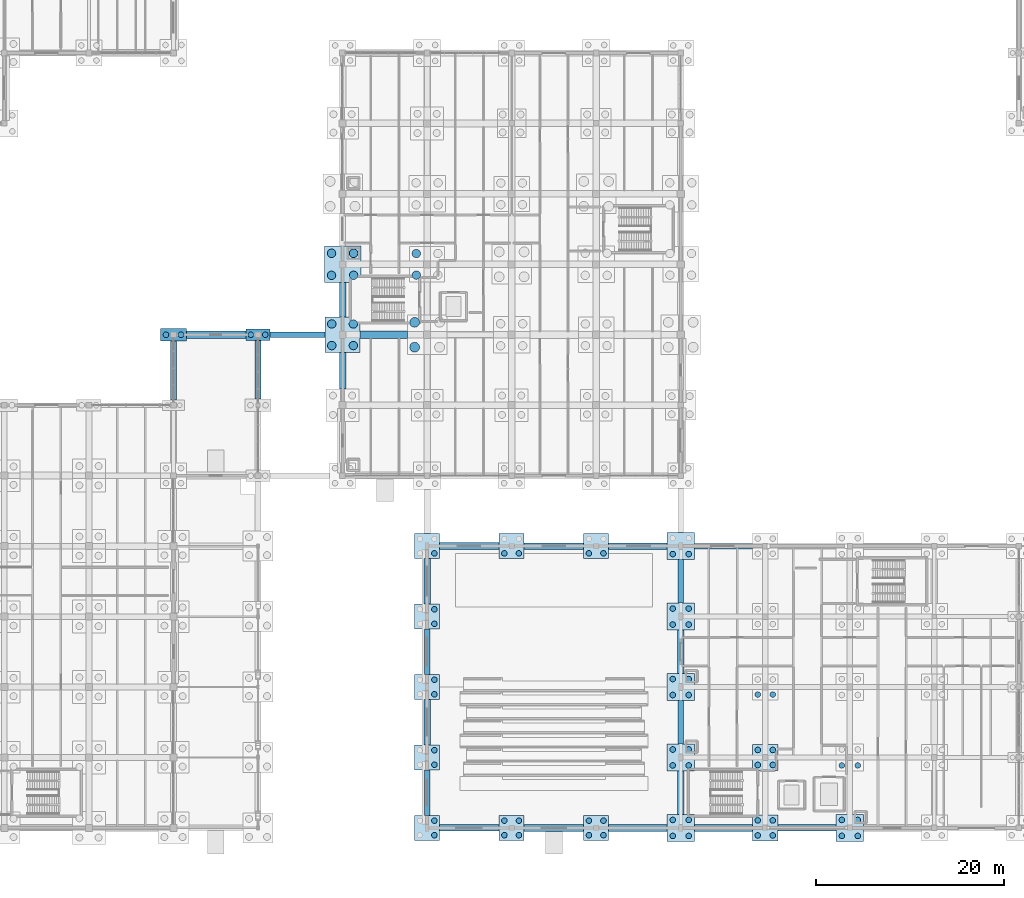
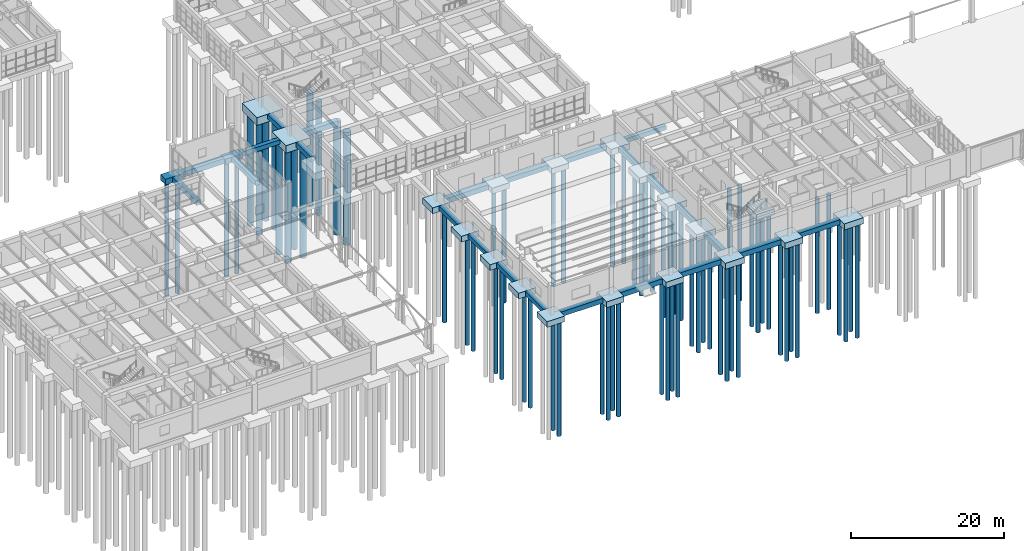
# One storey, part 3 of 93: 71 piles, 45 footings.
"""IFC4 building model written with IfcOpenShell, lengths in metres."""

from ifc_helpers import new_model, si_unit, direction, frame, origin, origin_2d, place, context, subcontext, project, spatial, rectangle, circle, extrude, material, material_profile, profile_set, type_object, element, save


model = new_model("IFC4")

# Units and contexts
model_context = context("Model", 3, precision=1e-05, world=origin(), true_north=direction((0.0, 1.0)))
body_context = subcontext(model_context, "Body", "Model", "MODEL_VIEW")
ifc_project = project(units=[si_unit("LENGTHUNIT", "METRE"), si_unit("AREAUNIT", "SQUARE_METRE"), si_unit("VOLUMEUNIT", "CUBIC_METRE"), si_unit("PLANEANGLEUNIT", "RADIAN"), si_unit("MASSUNIT", "GRAM", prefix="KILO")], contexts=[model_context])

# Site, building, storey
site_placement = place(None, origin())
site = spatial("IfcSite", under=ifc_project, at=site_placement, CompositionType="ELEMENT")
building_placement = place(site_placement, origin())
building = spatial("IfcBuilding", under=site, at=building_placement, Name="Marnridge Secondary College", CompositionType="ELEMENT")
storey_placement = place(building_placement, origin())
storey = spatial("IfcBuildingStorey", under=building, at=storey_placement, Name="L00", CompositionType="ELEMENT", Elevation=0.0)

# Footings
ifc_material_1 = material(Name="Concrete C40/50 (AS 3600 N40, 40 MPa)", Category="concrete")
footing_type_1 = type_object("IfcFootingType", Name="FT-PC-2612", PredefinedType="PILE_CAP", material=ifc_material_1)
footing_1_placement = place(storey_placement, frame((45.0, 52.5, -1.10986328125), z_axis=(0.0, 0.0, 1.0), x_axis=(1.0, 0.0, 0.0)))
element("IfcFooting", 1, at=footing_1_placement, inside=storey, type_object=footing_type_1, Name="Pile cap PC-088", PredefinedType="PILE_CAP", context=body_context, shape_type="SweptSolid", body=[
    extrude(rectangle(XDim=2.60009765625, YDim=1.199951171875, at=origin_2d()), origin(), (0.0, 0.0, 1.0), 0.860107421875),
])
ifc_material_2 = material(Name="Concrete C40/50 (AS 3600 N40, 40 MPa)", Category="concrete")
footing_type_2 = type_object("IfcFootingType", Name="FT-PC-2650", PredefinedType="PILE_CAP", material=ifc_material_2)
for number, where, z_axis, x_axis, name in (
    (2, (63.0, 0.0, -1.169921875), (0.0, 0.0, 1.0), (1.0, 0.0, 0.0), "Pile cap PC-007"),
    (3, (72.0, 0.0, -1.169921875), (0.0, 0.0, 1.0), (1.0, 0.0, 0.0), "Pile cap PC-008"),
    (4, (81.0, 0.0, -1.169921875), (0.0, 0.0, 1.0), (1.0, 0.0, 0.0), "Pile cap PC-009"),
    (5, (63.0, 7.5, -1.169921875), (0.0, 0.0, 1.0), (1.0, 0.0, 0.0), "Pile cap PC-021"),
    (6, (63.0, 15.0, -1.169921875), (0.0, 0.0, 1.0), (1.0, 0.0, 0.0), "Pile cap PC-033"),
    (7, (63.0, 22.5, -1.169921875), (0.0, 0.0, 1.0), (1.0, 0.0, 0.0), "Pile cap PC-045"),
    (8, (63.0, 30.0, -1.169921875), (0.0, 0.0, 1.0), (1.0, 0.0, 0.0), "Pile cap PC-057"),
    (9, (72.0, 30.0, -1.169921875), (0.0, 0.0, 1.0), (1.0, 0.0, 0.0), "Pile cap PC-058"),
    (10, (81.0, 30.0, -1.169921875), (0.0, 0.0, 1.0), (1.0, 0.0, 0.0), "Pile cap PC-059"),
):
    element("IfcFooting", number, at=place(storey_placement, frame(where, z_axis=z_axis, x_axis=x_axis)), inside=storey, type_object=footing_type_2, Name=name, PredefinedType="PILE_CAP", context=body_context, shape_type="SweptSolid", body=[
        extrude(rectangle(XDim=2.64990234375, YDim=2.64990234375, at=origin_2d()), origin(), (0.0, 0.0, 1.0), 0.919921875),
    ])
ifc_material_3 = material(Name="Concrete C40/50 (AS 3600 N40, 40 MPa)", Category="concrete")
footing_type_3 = type_object("IfcFootingType", Name="FT-PC-2713", PredefinedType="PILE_CAP", material=ifc_material_3)
footing_2_placement = place(storey_placement, frame((36.0, 52.5, -1.14990234375), z_axis=(0.0, 0.0, 1.0), x_axis=(1.0, 0.0, 0.0)))
element("IfcFooting", 11, at=footing_2_placement, inside=storey, type_object=footing_type_3, Name="Pile cap PC-087", PredefinedType="PILE_CAP", context=body_context, shape_type="SweptSolid", body=[
    extrude(rectangle(XDim=2.75, YDim=1.300048828125, at=origin_2d()), origin(), (0.0, 0.0, 1.0), 0.89990234375),
])
ifc_material_4 = material(Name="Concrete C40/50 (AS 3600 N40, 40 MPa)", Category="concrete")
footing_type_4 = type_object("IfcFootingType", Name="FT-PC-2750", PredefinedType="PILE_CAP", material=ifc_material_4)
for number, where, z_axis, x_axis, name in (
    (12, (99.0, 0.0, -1.2001953125), (0.0, 0.0, 1.0), (1.0, 0.0, 0.0), "Pile cap PC-011"),
    (13, (99.0, 7.5, -1.2001953125), (0.0, 0.0, 1.0), (1.0, 0.0, 0.0), "Pile cap PC-023"),
):
    element("IfcFooting", number, at=place(storey_placement, frame(where, z_axis=z_axis, x_axis=x_axis)), inside=storey, type_object=footing_type_4, Name=name, PredefinedType="PILE_CAP", context=body_context, shape_type="SweptSolid", body=[
        extrude(rectangle(XDim=2.75, YDim=2.75, at=origin_2d()), origin(), (0.0, 0.0, 1.0), 0.949951171875),
    ])
ifc_material_5 = material(Name="Concrete C40/50 (AS 3600 N40, 40 MPa)", Category="concrete")
footing_type_5 = type_object("IfcFootingType", Name="FT-PC-2900", PredefinedType="PILE_CAP", material=ifc_material_5)
for number, where, z_axis, x_axis, name in (
    (14, (90.0, 0.0, -1.22998046875), (0.0, 0.0, 1.0), (1.0, 0.0, 0.0), "Pile cap PC-010"),
    (15, (108.0, 0.0, -1.22998046875), (0.0, 0.0, 1.0), (1.0, 0.0, 0.0), "Pile cap PC-012"),
    (16, (90.0, 7.5, -1.22998046875), (0.0, 0.0, 1.0), (1.0, 0.0, 0.0), "Pile cap PC-022"),
    (17, (90.0, 15.0, -1.22998046875), (0.0, 0.0, 1.0), (1.0, 0.0, 0.0), "Pile cap PC-034"),
    (18, (90.0, 22.5, -1.22998046875), (0.0, 0.0, 1.0), (1.0, 0.0, 0.0), "Pile cap PC-046"),
    (19, (90.0, 30.0, -1.22998046875), (0.0, 0.0, 1.0), (1.0, 0.0, 0.0), "Pile cap PC-060"),
):
    element("IfcFooting", number, at=place(storey_placement, frame(where, z_axis=z_axis, x_axis=x_axis)), inside=storey, type_object=footing_type_5, Name=name, PredefinedType="PILE_CAP", context=body_context, shape_type="SweptSolid", body=[
        extrude(rectangle(XDim=2.89990234375, YDim=2.89990234375, at=origin_2d()), origin(), (0.0, 0.0, 1.0), 0.97998046875),
    ])
ifc_material_6 = material(Name="Concrete C40/50 (AS 3600 N40, 40 MPa)", Category="concrete")
footing_type_6 = type_object("IfcFootingType", Name="FT-PC-3750", PredefinedType="PILE_CAP", material=ifc_material_6)
footing_3_placement = place(storey_placement, frame((54.0, 52.5, -1.4501953125), z_axis=(0.0, 0.0, 1.0), x_axis=(1.0, 0.0, 0.0)))
element("IfcFooting", 20, at=footing_3_placement, inside=storey, type_object=footing_type_6, Name="Pile cap PC-089", PredefinedType="PILE_CAP", context=body_context, shape_type="SweptSolid", body=[
    extrude(rectangle(XDim=3.75, YDim=3.75, at=origin_2d()), origin(), (0.0, 0.0, 1.0), 1.199951171875),
])
ifc_material_7 = material(Name="Concrete C40/50 (AS 3600 N40, 40 MPa)", Category="concrete")
footing_type_7 = type_object("IfcFootingType", Name="FT-PC-3900", PredefinedType="PILE_CAP", material=ifc_material_7)
footing_4_placement = place(storey_placement, frame((54.0, 60.0, -1.5), z_axis=(0.0, 0.0, 1.0), x_axis=(1.0, 0.0, 0.0)))
element("IfcFooting", 21, at=footing_4_placement, inside=storey, type_object=footing_type_7, Name="Pile cap PC-094", PredefinedType="PILE_CAP", context=body_context, shape_type="SweptSolid", body=[
    extrude(rectangle(XDim=3.89990234375, YDim=3.89990234375, at=origin_2d()), origin(), (0.0, 0.0, 1.0), 1.25),
])
ifc_material_8 = material(Name="Concrete C40/50 (AS 3600 N40, 40 MPa)", Category="concrete")
footing_type_8 = type_object("IfcFootingType", Name="FT-SF-600", PredefinedType="STRIP_FOOTING", material=ifc_material_8)
footing_5_placement = place(storey_placement, frame((49.21240234375, 52.5, -0.9501953125), z_axis=(0.0, 0.0, 1.0), x_axis=(1.0, 0.0, 0.0)))
element("IfcFooting", 22, at=footing_5_placement, inside=storey, type_object=footing_type_8, Name="Ground strip footing SF-059", PredefinedType="STRIP_FOOTING", context=body_context, shape_type="SweptSolid", body=[
    extrude(rectangle(XDim=5.824951171875, YDim=0.60009765625, at=origin_2d()), origin(), (0.0, 0.0, 1.0), 0.699951171875),
])
for number, where, z_axis, x_axis, name in (
    (23, (63.0, 3.75, -0.9501953125), (0.0, 0.0, 1.0), (1.0, 0.0, 0.0), "Ground strip footing SF-071"),
    (24, (63.0, 18.75, -0.9501953125), (0.0, 0.0, 1.0), (1.0, 0.0, 0.0), "Ground strip footing SF-073"),
):
    element("IfcFooting", number, at=place(storey_placement, frame(where, z_axis=z_axis, x_axis=x_axis)), inside=storey, type_object=footing_type_8, Name=name, PredefinedType="STRIP_FOOTING", context=body_context, shape_type="SweptSolid", body=[
        extrude(rectangle(XDim=0.60009765625, YDim=4.85009765625, at=origin_2d()), origin(), (0.0, 0.0, 1.0), 0.699951171875),
    ])
for number, where, z_axis, x_axis, name in (
    (25, (90.0, 11.25, -0.9501953125), (0.0, 0.0, 1.0), (1.0, 0.0, 0.0), "Ground strip footing SF-101"),
    (26, (90.0, 26.25, -0.9501953125), (0.0, 0.0, 1.0), (1.0, 0.0, 0.0), "Ground strip footing SF-103"),
):
    element("IfcFooting", number, at=place(storey_placement, frame(where, z_axis=z_axis, x_axis=x_axis)), inside=storey, type_object=footing_type_8, Name=name, PredefinedType="STRIP_FOOTING", context=body_context, shape_type="SweptSolid", body=[
        extrude(rectangle(XDim=0.60009765625, YDim=4.60009765625, at=origin_2d()), origin(), (0.0, 0.0, 1.0), 0.699951171875),
    ])
footing_6_placement = place(storey_placement, frame((94.53759765625, 30.0, -0.9501953125), z_axis=(0.0, 0.0, 1.0), x_axis=(1.0, 0.0, 0.0)))
element("IfcFooting", 27, at=footing_6_placement, inside=storey, type_object=footing_type_8, Name="Ground strip footing SF-104", PredefinedType="STRIP_FOOTING", context=body_context, shape_type="SweptSolid", body=[
    extrude(rectangle(XDim=6.175048828125, YDim=0.60009765625, at=origin_2d()), origin(), (0.0, 0.0, 1.0), 0.699951171875),
])
ifc_material_9 = material(Name="Concrete C40/50 (AS 3600 N40, 40 MPa)", Category="concrete")
footing_type_9 = type_object("IfcFootingType", Name="FT-SF-680", PredefinedType="STRIP_FOOTING", material=ifc_material_9)
footing_7_placement = place(storey_placement, frame((36.0, 48.699951171875, -1.009765625), z_axis=(0.0, 0.0, 1.0), x_axis=(1.0, 0.0, 0.0)))
element("IfcFooting", 28, at=footing_7_placement, inside=storey, type_object=footing_type_9, Name="Ground strip footing SF-044", PredefinedType="STRIP_FOOTING", context=body_context, shape_type="SweptSolid", body=[
    extrude(rectangle(XDim=0.679931640625, YDim=6.300048828125, at=origin_2d()), origin(), (0.0, 0.0, 1.0), 0.760009765625),
])
footing_8_placement = place(storey_placement, frame((45.0, 48.77490234375, -1.009765625), z_axis=(0.0, 0.0, 1.0), x_axis=(1.0, 0.0, 0.0)))
element("IfcFooting", 29, at=footing_8_placement, inside=storey, type_object=footing_type_9, Name="Ground strip footing SF-058", PredefinedType="STRIP_FOOTING", context=body_context, shape_type="SweptSolid", body=[
    extrude(rectangle(XDim=0.679931640625, YDim=6.25, at=origin_2d()), origin(), (0.0, 0.0, 1.0), 0.760009765625),
])
footing_9_placement = place(storey_placement, frame((54.0, 48.6875, -1.009765625), z_axis=(0.0, 0.0, 1.0), x_axis=(1.0, 0.0, 0.0)))
element("IfcFooting", 30, at=footing_9_placement, inside=storey, type_object=footing_type_9, Name="Ground strip footing SF-062", PredefinedType="STRIP_FOOTING", context=body_context, shape_type="SweptSolid", body=[
    extrude(rectangle(XDim=0.679931640625, YDim=3.875, at=origin_2d()), origin(), (0.0, 0.0, 1.0), 0.760009765625),
])
footing_10_placement = place(storey_placement, frame((54.0, 56.21240234375, -1.009765625), z_axis=(0.0, 0.0, 1.0), x_axis=(1.0, 0.0, 0.0)))
element("IfcFooting", 31, at=footing_10_placement, inside=storey, type_object=footing_type_9, Name="Ground strip footing SF-064", PredefinedType="STRIP_FOOTING", context=body_context, shape_type="SweptSolid", body=[
    extrude(rectangle(XDim=0.679931640625, YDim=3.675048828125, at=origin_2d()), origin(), (0.0, 0.0, 1.0), 0.760009765625),
])
footing_11_placement = place(storey_placement, frame((67.5, 0.0, -1.009765625), z_axis=(0.0, 0.0, 1.0), x_axis=(1.0, 0.0, 0.0)))
element("IfcFooting", 32, at=footing_11_placement, inside=storey, type_object=footing_type_9, Name="Ground strip footing SF-070", PredefinedType="STRIP_FOOTING", context=body_context, shape_type="SweptSolid", body=[
    extrude(rectangle(XDim=6.35009765625, YDim=0.679931640625, at=origin_2d()), origin(), (0.0, 0.0, 1.0), 0.760009765625),
])
for number, where, z_axis, x_axis, name in (
    (33, (63.0, 11.25, -1.009765625), (0.0, 0.0, 1.0), (1.0, 0.0, 0.0), "Ground strip footing SF-072"),
    (34, (63.0, 26.25, -1.009765625), (0.0, 0.0, 1.0), (1.0, 0.0, 0.0), "Ground strip footing SF-074"),
):
    element("IfcFooting", number, at=place(storey_placement, frame(where, z_axis=z_axis, x_axis=x_axis)), inside=storey, type_object=footing_type_9, Name=name, PredefinedType="STRIP_FOOTING", context=body_context, shape_type="SweptSolid", body=[
        extrude(rectangle(XDim=0.679931640625, YDim=4.85009765625, at=origin_2d()), origin(), (0.0, 0.0, 1.0), 0.760009765625),
    ])
footing_12_placement = place(storey_placement, frame((76.5, 30.0, -1.009765625), z_axis=(0.0, 0.0, 1.0), x_axis=(1.0, 0.0, 0.0)))
element("IfcFooting", 35, at=footing_12_placement, inside=storey, type_object=footing_type_9, Name="Ground strip footing SF-088", PredefinedType="STRIP_FOOTING", context=body_context, shape_type="SweptSolid", body=[
    extrude(rectangle(XDim=6.35009765625, YDim=0.679931640625, at=origin_2d()), origin(), (0.0, 0.0, 1.0), 0.760009765625),
])
footing_13_placement = place(storey_placement, frame((85.4375, 30.0, -1.009765625), z_axis=(0.0, 0.0, 1.0), x_axis=(1.0, 0.0, 0.0)))
element("IfcFooting", 36, at=footing_13_placement, inside=storey, type_object=footing_type_9, Name="Ground strip footing SF-094", PredefinedType="STRIP_FOOTING", context=body_context, shape_type="SweptSolid", body=[
    extrude(rectangle(XDim=6.22509765625, YDim=0.679931640625, at=origin_2d()), origin(), (0.0, 0.0, 1.0), 0.760009765625),
])
for number, where, z_axis, x_axis, name in (
    (37, (90.0, 3.75, -1.009765625), (0.0, 0.0, 1.0), (1.0, 0.0, 0.0), "Ground strip footing SF-100"),
    (38, (90.0, 18.75, -1.009765625), (0.0, 0.0, 1.0), (1.0, 0.0, 0.0), "Ground strip footing SF-102"),
):
    element("IfcFooting", number, at=place(storey_placement, frame(where, z_axis=z_axis, x_axis=x_axis)), inside=storey, type_object=footing_type_9, Name=name, PredefinedType="STRIP_FOOTING", context=body_context, shape_type="SweptSolid", body=[
        extrude(rectangle(XDim=0.679931640625, YDim=4.60009765625, at=origin_2d()), origin(), (0.0, 0.0, 1.0), 0.760009765625),
    ])
footing_14_placement = place(storey_placement, frame((103.46240234375, 0.0, -1.009765625), z_axis=(0.0, 0.0, 1.0), x_axis=(1.0, 0.0, 0.0)))
element("IfcFooting", 39, at=footing_14_placement, inside=storey, type_object=footing_type_9, Name="Ground strip footing SF-112", PredefinedType="STRIP_FOOTING", context=body_context, shape_type="SweptSolid", body=[
    extrude(rectangle(XDim=6.175048828125, YDim=0.679931640625, at=origin_2d()), origin(), (0.0, 0.0, 1.0), 0.760009765625),
])
ifc_material_10 = material(Name="Concrete C40/50 (AS 3600 N40, 40 MPa)", Category="concrete")
footing_type_10 = type_object("IfcFootingType", Name="FT-SF-760", PredefinedType="STRIP_FOOTING", material=ifc_material_10)
footing_15_placement = place(storey_placement, frame((40.53759765625, 52.5, -1.06982421875), z_axis=(0.0, 0.0, 1.0), x_axis=(1.0, 0.0, 0.0)))
element("IfcFooting", 40, at=footing_15_placement, inside=storey, type_object=footing_type_10, Name="Ground strip footing SF-045", PredefinedType="STRIP_FOOTING", context=body_context, shape_type="SweptSolid", body=[
    extrude(rectangle(XDim=6.324951171875, YDim=0.760009765625, at=origin_2d()), origin(), (0.0, 0.0, 1.0), 0.820068359375),
])
footing_16_placement = place(storey_placement, frame((58.387451171875, 52.5, -1.06982421875), z_axis=(0.0, 0.0, 1.0), x_axis=(1.0, 0.0, 0.0)))
element("IfcFooting", 41, at=footing_16_placement, inside=storey, type_object=footing_type_10, Name="Ground strip footing SF-063", PredefinedType="STRIP_FOOTING", context=body_context, shape_type="SweptSolid", body=[
    extrude(rectangle(XDim=5.02490234375, YDim=0.760009765625, at=origin_2d()), origin(), (0.0, 0.0, 1.0), 0.820068359375),
])
for number, where, z_axis, x_axis, name in (
    (42, (67.5, 30.0, -1.06982421875), (0.0, 0.0, 1.0), (1.0, 0.0, 0.0), "Ground strip footing SF-075"),
    (43, (76.5, 0.0, -1.06982421875), (0.0, 0.0, 1.0), (1.0, 0.0, 0.0), "Ground strip footing SF-087"),
):
    element("IfcFooting", number, at=place(storey_placement, frame(where, z_axis=z_axis, x_axis=x_axis)), inside=storey, type_object=footing_type_10, Name=name, PredefinedType="STRIP_FOOTING", context=body_context, shape_type="SweptSolid", body=[
        extrude(rectangle(XDim=6.35009765625, YDim=0.760009765625, at=origin_2d()), origin(), (0.0, 0.0, 1.0), 0.820068359375),
    ])
footing_17_placement = place(storey_placement, frame((85.4375, 0.0, -1.06982421875), z_axis=(0.0, 0.0, 1.0), x_axis=(1.0, 0.0, 0.0)))
element("IfcFooting", 44, at=footing_17_placement, inside=storey, type_object=footing_type_10, Name="Ground strip footing SF-093", PredefinedType="STRIP_FOOTING", context=body_context, shape_type="SweptSolid", body=[
    extrude(rectangle(XDim=6.22509765625, YDim=0.760009765625, at=origin_2d()), origin(), (0.0, 0.0, 1.0), 0.820068359375),
])
footing_18_placement = place(storey_placement, frame((94.53759765625, 0.0, -1.06982421875), z_axis=(0.0, 0.0, 1.0), x_axis=(1.0, 0.0, 0.0)))
element("IfcFooting", 45, at=footing_18_placement, inside=storey, type_object=footing_type_10, Name="Ground strip footing SF-099", PredefinedType="STRIP_FOOTING", context=body_context, shape_type="SweptSolid", body=[
    extrude(rectangle(XDim=6.175048828125, YDim=0.760009765625, at=origin_2d()), origin(), (0.0, 0.0, 1.0), 0.820068359375),
])

# Piles
ifc_material_11 = material(Name="Concrete C50/60 (AS 3600 N50, 50 MPa)", Category="concrete")
ifc_material_profile_1 = material_profile(ifc_material_11, circle(Radius=0.52490234375, at=origin_2d()), Name="PILE D1050")
ifc_profile_set_1 = profile_set([ifc_material_profile_1], Name="Concrete C50/60 (AS 3600 N50, 50 MPa)")
pile_type_1 = type_object("IfcPileType", Name="PL-D1050-N50", PredefinedType="BORED", material=ifc_profile_set_1)
for number, where, z_axis, x_axis, name in (
    (46, (61.675048828125, 51.175048828125, -1.449951171875), (0.0, 0.0, -1.0), (1.0, 0.0, 0.0), "Bored pile PL-333"),
    (47, (61.675048828125, 53.824951171875, -1.449951171875), (0.0, 0.0, -1.0), (1.0, 0.0, 0.0), "Bored pile PL-335"),
):
    element("IfcPile", number, at=place(storey_placement, frame(where, z_axis=z_axis, x_axis=x_axis)), inside=storey, type_object=pile_type_1, Name=name, PredefinedType="BORED", context=body_context, shape_type="SweptSolid", body=[
        extrude(circle(Radius=0.52490234375, at=origin_2d()), origin(), (0.0, 0.0, 1.0), 18.050048828125),
    ])
ifc_material_12 = material(Name="Concrete C40/50 (AS 3600 N40, 40 MPa)", Category="concrete")
ifc_material_profile_2 = material_profile(ifc_material_12, circle(Radius=0.300048828125, at=origin_2d()), Name="PILE D600")
ifc_profile_set_2 = profile_set([ifc_material_profile_2], Name="Concrete C40/50 (AS 3600 N40, 40 MPa)")
pile_type_2 = type_object("IfcPileType", Name="PL-D600-N40", PredefinedType="BORED", material=ifc_profile_set_2)
for number, where, z_axis, x_axis, name in (
    (48, (63.77490234375, -0.77490234375, -1.070068359375), (0.0, 0.0, -1.0), (1.0, 0.0, 0.0), "Bored pile PL-026"),
    (49, (63.77490234375, 0.77490234375, -1.070068359375), (0.0, 0.0, -1.0), (1.0, 0.0, 0.0), "Bored pile PL-028"),
    (50, (71.22509765625, -0.77490234375, -1.070068359375), (0.0, 0.0, -1.0), (1.0, 0.0, 0.0), "Bored pile PL-029"),
    (51, (72.77490234375, -0.77490234375, -1.070068359375), (0.0, 0.0, -1.0), (1.0, 0.0, 0.0), "Bored pile PL-030"),
    (52, (71.22509765625, 0.77490234375, -1.070068359375), (0.0, 0.0, -1.0), (1.0, 0.0, 0.0), "Bored pile PL-031"),
    (53, (72.77490234375, 0.77490234375, -1.070068359375), (0.0, 0.0, -1.0), (1.0, 0.0, 0.0), "Bored pile PL-032"),
    (54, (80.22509765625, -0.77490234375, -1.070068359375), (0.0, 0.0, -1.0), (1.0, 0.0, 0.0), "Bored pile PL-033"),
    (55, (81.77490234375, -0.77490234375, -1.070068359375), (0.0, 0.0, -1.0), (1.0, 0.0, 0.0), "Bored pile PL-034"),
    (56, (80.22509765625, 0.77490234375, -1.070068359375), (0.0, 0.0, -1.0), (1.0, 0.0, 0.0), "Bored pile PL-035"),
    (57, (81.77490234375, 0.77490234375, -1.070068359375), (0.0, 0.0, -1.0), (1.0, 0.0, 0.0), "Bored pile PL-036"),
):
    element("IfcPile", number, at=place(storey_placement, frame(where, z_axis=z_axis, x_axis=x_axis)), inside=storey, type_object=pile_type_2, Name=name, PredefinedType="BORED", context=body_context, shape_type="SweptSolid", body=[
        extrude(circle(Radius=0.300048828125, at=origin_2d()), origin(), (0.0, 0.0, 1.0), 18.429931640625),
    ])
for number, where, z_axis, x_axis, name in (
    (58, (89.14990234375, -0.85009765625, -1.1298828125), (0.0, 0.0, -1.0), (1.0, 0.0, 0.0), "Bored pile PL-037"),
    (59, (90.85009765625, -0.85009765625, -1.1298828125), (0.0, 0.0, -1.0), (1.0, 0.0, 0.0), "Bored pile PL-038"),
    (60, (89.14990234375, 0.85009765625, -1.1298828125), (0.0, 0.0, -1.0), (1.0, 0.0, 0.0), "Bored pile PL-039"),
    (61, (90.85009765625, 0.85009765625, -1.1298828125), (0.0, 0.0, -1.0), (1.0, 0.0, 0.0), "Bored pile PL-040"),
):
    element("IfcPile", number, at=place(storey_placement, frame(where, z_axis=z_axis, x_axis=x_axis)), inside=storey, type_object=pile_type_2, Name=name, PredefinedType="BORED", context=body_context, shape_type="SweptSolid", body=[
        extrude(circle(Radius=0.300048828125, at=origin_2d()), origin(), (0.0, 0.0, 1.0), 18.3701171875),
    ])
for number, where, z_axis, x_axis, name in (
    (62, (98.199951171875, -0.800048828125, -1.10009765625), (0.0, 0.0, -1.0), (1.0, 0.0, 0.0), "Bored pile PL-041"),
    (63, (99.800048828125, -0.800048828125, -1.10009765625), (0.0, 0.0, -1.0), (1.0, 0.0, 0.0), "Bored pile PL-042"),
    (64, (98.199951171875, 0.800048828125, -1.10009765625), (0.0, 0.0, -1.0), (1.0, 0.0, 0.0), "Bored pile PL-043"),
    (65, (99.800048828125, 0.800048828125, -1.10009765625), (0.0, 0.0, -1.0), (1.0, 0.0, 0.0), "Bored pile PL-044"),
):
    element("IfcPile", number, at=place(storey_placement, frame(where, z_axis=z_axis, x_axis=x_axis)), inside=storey, type_object=pile_type_2, Name=name, PredefinedType="BORED", context=body_context, shape_type="SweptSolid", body=[
        extrude(circle(Radius=0.300048828125, at=origin_2d()), origin(), (0.0, 0.0, 1.0), 18.39990234375),
    ])
for number, where, z_axis, x_axis, name in (
    (66, (107.14990234375, -0.85009765625, -1.1298828125), (0.0, 0.0, -1.0), (1.0, 0.0, 0.0), "Bored pile PL-045"),
    (67, (108.85009765625, -0.85009765625, -1.1298828125), (0.0, 0.0, -1.0), (1.0, 0.0, 0.0), "Bored pile PL-046"),
    (68, (107.14990234375, 0.85009765625, -1.1298828125), (0.0, 0.0, -1.0), (1.0, 0.0, 0.0), "Bored pile PL-047"),
    (69, (108.85009765625, 0.85009765625, -1.1298828125), (0.0, 0.0, -1.0), (1.0, 0.0, 0.0), "Bored pile PL-048"),
):
    element("IfcPile", number, at=place(storey_placement, frame(where, z_axis=z_axis, x_axis=x_axis)), inside=storey, type_object=pile_type_2, Name=name, PredefinedType="BORED", context=body_context, shape_type="SweptSolid", body=[
        extrude(circle(Radius=0.300048828125, at=origin_2d()), origin(), (0.0, 0.0, 1.0), 18.3701171875),
    ])
for number, where, z_axis, x_axis, name in (
    (70, (63.77490234375, 6.72509765625, -1.070068359375), (0.0, 0.0, -1.0), (1.0, 0.0, 0.0), "Bored pile PL-082"),
    (71, (63.77490234375, 8.27490234375, -1.070068359375), (0.0, 0.0, -1.0), (1.0, 0.0, 0.0), "Bored pile PL-084"),
):
    element("IfcPile", number, at=place(storey_placement, frame(where, z_axis=z_axis, x_axis=x_axis)), inside=storey, type_object=pile_type_2, Name=name, PredefinedType="BORED", context=body_context, shape_type="SweptSolid", body=[
        extrude(circle(Radius=0.300048828125, at=origin_2d()), origin(), (0.0, 0.0, 1.0), 18.429931640625),
    ])
for number, where, z_axis, x_axis, name in (
    (72, (89.14990234375, 6.64990234375, -1.1298828125), (0.0, 0.0, -1.0), (1.0, 0.0, 0.0), "Bored pile PL-085"),
    (73, (90.85009765625, 6.64990234375, -1.1298828125), (0.0, 0.0, -1.0), (1.0, 0.0, 0.0), "Bored pile PL-086"),
    (74, (89.14990234375, 8.35009765625, -1.1298828125), (0.0, 0.0, -1.0), (1.0, 0.0, 0.0), "Bored pile PL-087"),
    (75, (90.85009765625, 8.35009765625, -1.1298828125), (0.0, 0.0, -1.0), (1.0, 0.0, 0.0), "Bored pile PL-088"),
):
    element("IfcPile", number, at=place(storey_placement, frame(where, z_axis=z_axis, x_axis=x_axis)), inside=storey, type_object=pile_type_2, Name=name, PredefinedType="BORED", context=body_context, shape_type="SweptSolid", body=[
        extrude(circle(Radius=0.300048828125, at=origin_2d()), origin(), (0.0, 0.0, 1.0), 18.3701171875),
    ])
for number, where, z_axis, x_axis, name in (
    (76, (98.199951171875, 6.699951171875, -1.10009765625), (0.0, 0.0, -1.0), (1.0, 0.0, 0.0), "Bored pile PL-089"),
    (77, (99.800048828125, 6.699951171875, -1.10009765625), (0.0, 0.0, -1.0), (1.0, 0.0, 0.0), "Bored pile PL-090"),
    (78, (98.199951171875, 8.300048828125, -1.10009765625), (0.0, 0.0, -1.0), (1.0, 0.0, 0.0), "Bored pile PL-091"),
    (79, (99.800048828125, 8.300048828125, -1.10009765625), (0.0, 0.0, -1.0), (1.0, 0.0, 0.0), "Bored pile PL-092"),
):
    element("IfcPile", number, at=place(storey_placement, frame(where, z_axis=z_axis, x_axis=x_axis)), inside=storey, type_object=pile_type_2, Name=name, PredefinedType="BORED", context=body_context, shape_type="SweptSolid", body=[
        extrude(circle(Radius=0.300048828125, at=origin_2d()), origin(), (0.0, 0.0, 1.0), 18.39990234375),
    ])
for number, where, z_axis, x_axis, name in (
    (80, (107.14990234375, 6.64990234375, -1.1298828125), (0.0, 0.0, -1.0), (1.0, 0.0, 0.0), "Bored pile PL-093"),
    (81, (108.85009765625, 6.64990234375, -1.1298828125), (0.0, 0.0, -1.0), (1.0, 0.0, 0.0), "Bored pile PL-094"),
):
    element("IfcPile", number, at=place(storey_placement, frame(where, z_axis=z_axis, x_axis=x_axis)), inside=storey, type_object=pile_type_2, Name=name, PredefinedType="BORED", context=body_context, shape_type="SweptSolid", body=[
        extrude(circle(Radius=0.300048828125, at=origin_2d()), origin(), (0.0, 0.0, 1.0), 18.3701171875),
    ])
for number, where, z_axis, x_axis, name in (
    (82, (63.77490234375, 14.22509765625, -1.070068359375), (0.0, 0.0, -1.0), (1.0, 0.0, 0.0), "Bored pile PL-128"),
    (83, (63.77490234375, 15.77490234375, -1.070068359375), (0.0, 0.0, -1.0), (1.0, 0.0, 0.0), "Bored pile PL-130"),
):
    element("IfcPile", number, at=place(storey_placement, frame(where, z_axis=z_axis, x_axis=x_axis)), inside=storey, type_object=pile_type_2, Name=name, PredefinedType="BORED", context=body_context, shape_type="SweptSolid", body=[
        extrude(circle(Radius=0.300048828125, at=origin_2d()), origin(), (0.0, 0.0, 1.0), 18.429931640625),
    ])
for number, where, z_axis, x_axis, name in (
    (84, (89.14990234375, 14.14990234375, -1.1298828125), (0.0, 0.0, -1.0), (1.0, 0.0, 0.0), "Bored pile PL-131"),
    (85, (90.85009765625, 14.14990234375, -1.1298828125), (0.0, 0.0, -1.0), (1.0, 0.0, 0.0), "Bored pile PL-132"),
    (86, (89.14990234375, 15.85009765625, -1.1298828125), (0.0, 0.0, -1.0), (1.0, 0.0, 0.0), "Bored pile PL-133"),
    (87, (90.85009765625, 15.85009765625, -1.1298828125), (0.0, 0.0, -1.0), (1.0, 0.0, 0.0), "Bored pile PL-134"),
):
    element("IfcPile", number, at=place(storey_placement, frame(where, z_axis=z_axis, x_axis=x_axis)), inside=storey, type_object=pile_type_2, Name=name, PredefinedType="BORED", context=body_context, shape_type="SweptSolid", body=[
        extrude(circle(Radius=0.300048828125, at=origin_2d()), origin(), (0.0, 0.0, 1.0), 18.3701171875),
    ])
for number, where, z_axis, x_axis, name in (
    (88, (98.199951171875, 14.199951171875, -1.10009765625), (0.0, 0.0, -1.0), (1.0, 0.0, 0.0), "Bored pile PL-135"),
    (89, (99.800048828125, 14.199951171875, -1.10009765625), (0.0, 0.0, -1.0), (1.0, 0.0, 0.0), "Bored pile PL-136"),
):
    element("IfcPile", number, at=place(storey_placement, frame(where, z_axis=z_axis, x_axis=x_axis)), inside=storey, type_object=pile_type_2, Name=name, PredefinedType="BORED", context=body_context, shape_type="SweptSolid", body=[
        extrude(circle(Radius=0.300048828125, at=origin_2d()), origin(), (0.0, 0.0, 1.0), 18.39990234375),
    ])
for number, where, z_axis, x_axis, name in (
    (90, (63.77490234375, 21.72509765625, -1.070068359375), (0.0, 0.0, -1.0), (1.0, 0.0, 0.0), "Bored pile PL-174"),
    (91, (63.77490234375, 23.27490234375, -1.070068359375), (0.0, 0.0, -1.0), (1.0, 0.0, 0.0), "Bored pile PL-176"),
):
    element("IfcPile", number, at=place(storey_placement, frame(where, z_axis=z_axis, x_axis=x_axis)), inside=storey, type_object=pile_type_2, Name=name, PredefinedType="BORED", context=body_context, shape_type="SweptSolid", body=[
        extrude(circle(Radius=0.300048828125, at=origin_2d()), origin(), (0.0, 0.0, 1.0), 18.429931640625),
    ])
for number, where, z_axis, x_axis, name in (
    (92, (89.14990234375, 21.64990234375, -1.1298828125), (0.0, 0.0, -1.0), (1.0, 0.0, 0.0), "Bored pile PL-177"),
    (93, (90.85009765625, 21.64990234375, -1.1298828125), (0.0, 0.0, -1.0), (1.0, 0.0, 0.0), "Bored pile PL-178"),
    (94, (89.14990234375, 23.35009765625, -1.1298828125), (0.0, 0.0, -1.0), (1.0, 0.0, 0.0), "Bored pile PL-179"),
    (95, (90.85009765625, 23.35009765625, -1.1298828125), (0.0, 0.0, -1.0), (1.0, 0.0, 0.0), "Bored pile PL-180"),
):
    element("IfcPile", number, at=place(storey_placement, frame(where, z_axis=z_axis, x_axis=x_axis)), inside=storey, type_object=pile_type_2, Name=name, PredefinedType="BORED", context=body_context, shape_type="SweptSolid", body=[
        extrude(circle(Radius=0.300048828125, at=origin_2d()), origin(), (0.0, 0.0, 1.0), 18.3701171875),
    ])
for number, where, z_axis, x_axis, name in (
    (96, (63.77490234375, 29.22509765625, -1.070068359375), (0.0, 0.0, -1.0), (1.0, 0.0, 0.0), "Bored pile PL-220"),
    (97, (71.22509765625, 29.22509765625, -1.070068359375), (0.0, 0.0, -1.0), (1.0, 0.0, 0.0), "Bored pile PL-223"),
    (98, (72.77490234375, 29.22509765625, -1.070068359375), (0.0, 0.0, -1.0), (1.0, 0.0, 0.0), "Bored pile PL-224"),
    (99, (80.22509765625, 29.22509765625, -1.070068359375), (0.0, 0.0, -1.0), (1.0, 0.0, 0.0), "Bored pile PL-227"),
    (100, (81.77490234375, 29.22509765625, -1.070068359375), (0.0, 0.0, -1.0), (1.0, 0.0, 0.0), "Bored pile PL-228"),
):
    element("IfcPile", number, at=place(storey_placement, frame(where, z_axis=z_axis, x_axis=x_axis)), inside=storey, type_object=pile_type_2, Name=name, PredefinedType="BORED", context=body_context, shape_type="SweptSolid", body=[
        extrude(circle(Radius=0.300048828125, at=origin_2d()), origin(), (0.0, 0.0, 1.0), 18.429931640625),
    ])
for number, where, z_axis, x_axis, name in (
    (101, (89.14990234375, 29.14990234375, -1.1298828125), (0.0, 0.0, -1.0), (1.0, 0.0, 0.0), "Bored pile PL-231"),
    (102, (90.85009765625, 29.14990234375, -1.1298828125), (0.0, 0.0, -1.0), (1.0, 0.0, 0.0), "Bored pile PL-232"),
):
    element("IfcPile", number, at=place(storey_placement, frame(where, z_axis=z_axis, x_axis=x_axis)), inside=storey, type_object=pile_type_2, Name=name, PredefinedType="BORED", context=body_context, shape_type="SweptSolid", body=[
        extrude(circle(Radius=0.300048828125, at=origin_2d()), origin(), (0.0, 0.0, 1.0), 18.3701171875),
    ])
for number, where, z_axis, x_axis, name in (
    (103, (35.199951171875, 52.5, -1.050048828125), (0.0, 0.0, -1.0), (1.0, 0.0, 0.0), "Bored pile PL-325"),
    (104, (36.800048828125, 52.5, -1.050048828125), (0.0, 0.0, -1.0), (1.0, 0.0, 0.0), "Bored pile PL-326"),
):
    element("IfcPile", number, at=place(storey_placement, frame(where, z_axis=z_axis, x_axis=x_axis)), inside=storey, type_object=pile_type_2, Name=name, PredefinedType="BORED", context=body_context, shape_type="SweptSolid", body=[
        extrude(circle(Radius=0.300048828125, at=origin_2d()), origin(), (0.0, 0.0, 1.0), 18.449951171875),
    ])
for number, where, z_axis, x_axis, name in (
    (105, (44.22509765625, 52.5, -1.010009765625), (0.0, 0.0, -1.0), (1.0, 0.0, 0.0), "Bored pile PL-327"),
    (106, (45.77490234375, 52.5, -1.010009765625), (0.0, 0.0, -1.0), (1.0, 0.0, 0.0), "Bored pile PL-328"),
):
    element("IfcPile", number, at=place(storey_placement, frame(where, z_axis=z_axis, x_axis=x_axis)), inside=storey, type_object=pile_type_2, Name=name, PredefinedType="BORED", context=body_context, shape_type="SweptSolid", body=[
        extrude(circle(Radius=0.300048828125, at=origin_2d()), origin(), (0.0, 0.0, 1.0), 18.489990234375),
    ])
ifc_material_13 = material(Name="Concrete C50/60 (AS 3600 N50, 50 MPa)", Category="concrete")
ifc_material_profile_3 = material_profile(ifc_material_13, circle(Radius=0.449951171875, at=origin_2d()), Name="PILE D900")
ifc_profile_set_3 = profile_set([ifc_material_profile_3], Name="Concrete C50/60 (AS 3600 N50, 50 MPa)")
pile_type_3 = type_object("IfcPileType", Name="PL-D900-N50", PredefinedType="BORED", material=ifc_profile_set_3)
for number, where, z_axis, x_axis, name in (
    (107, (52.85009765625, 51.35009765625, -1.35009765625), (0.0, 0.0, -1.0), (1.0, 0.0, 0.0), "Bored pile PL-329"),
    (108, (55.14990234375, 51.35009765625, -1.35009765625), (0.0, 0.0, -1.0), (1.0, 0.0, 0.0), "Bored pile PL-330"),
    (109, (52.85009765625, 53.64990234375, -1.35009765625), (0.0, 0.0, -1.0), (1.0, 0.0, 0.0), "Bored pile PL-331"),
    (110, (55.14990234375, 53.64990234375, -1.35009765625), (0.0, 0.0, -1.0), (1.0, 0.0, 0.0), "Bored pile PL-332"),
):
    element("IfcPile", number, at=place(storey_placement, frame(where, z_axis=z_axis, x_axis=x_axis)), inside=storey, type_object=pile_type_3, Name=name, PredefinedType="BORED", context=body_context, shape_type="SweptSolid", body=[
        extrude(circle(Radius=0.449951171875, at=origin_2d()), origin(), (0.0, 0.0, 1.0), 18.14990234375),
    ])
for number, where, z_axis, x_axis, name in (
    (111, (52.824951171875, 58.824951171875, -1.39990234375), (0.0, 0.0, -1.0), (1.0, 0.0, 0.0), "Bored pile PL-349"),
    (112, (55.175048828125, 58.824951171875, -1.39990234375), (0.0, 0.0, -1.0), (1.0, 0.0, 0.0), "Bored pile PL-350"),
    (113, (52.824951171875, 61.175048828125, -1.39990234375), (0.0, 0.0, -1.0), (1.0, 0.0, 0.0), "Bored pile PL-351"),
    (114, (55.175048828125, 61.175048828125, -1.39990234375), (0.0, 0.0, -1.0), (1.0, 0.0, 0.0), "Bored pile PL-352"),
):
    element("IfcPile", number, at=place(storey_placement, frame(where, z_axis=z_axis, x_axis=x_axis)), inside=storey, type_object=pile_type_3, Name=name, PredefinedType="BORED", context=body_context, shape_type="SweptSolid", body=[
        extrude(circle(Radius=0.449951171875, at=origin_2d()), origin(), (0.0, 0.0, 1.0), 18.10009765625),
    ])
for number, where, z_axis, x_axis, name in (
    (115, (61.85009765625, 58.85009765625, -1.35009765625), (0.0, 0.0, -1.0), (1.0, 0.0, 0.0), "Bored pile PL-353"),
    (116, (61.85009765625, 61.14990234375, -1.35009765625), (0.0, 0.0, -1.0), (1.0, 0.0, 0.0), "Bored pile PL-355"),
):
    element("IfcPile", number, at=place(storey_placement, frame(where, z_axis=z_axis, x_axis=x_axis)), inside=storey, type_object=pile_type_3, Name=name, PredefinedType="BORED", context=body_context, shape_type="SweptSolid", body=[
        extrude(circle(Radius=0.449951171875, at=origin_2d()), origin(), (0.0, 0.0, 1.0), 18.14990234375),
    ])

save(model, "model.ifc")
